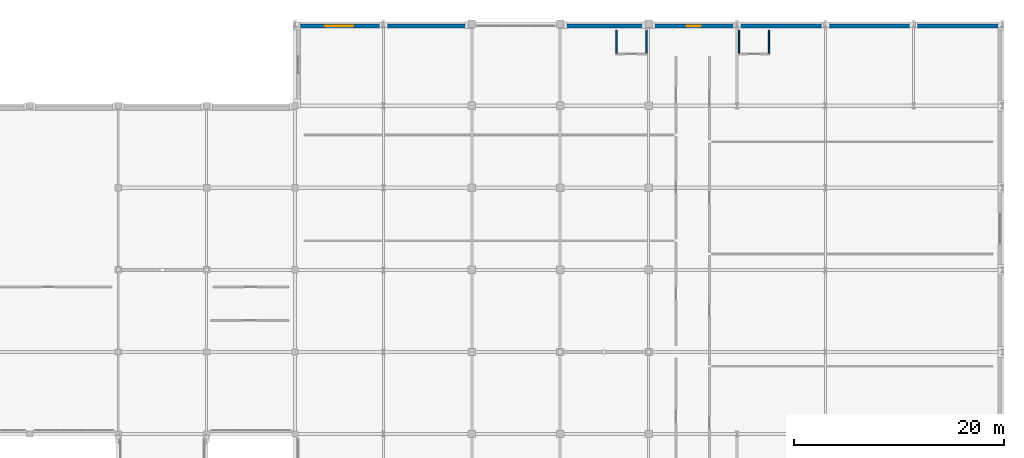
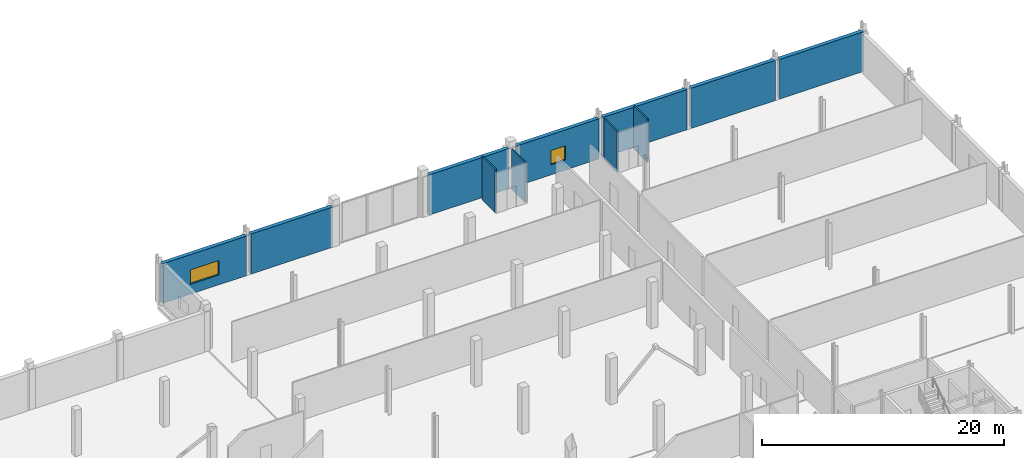
# One storey, part 78 of 98: 11 walls, 2 windows, 2 openings.
"""IFC4 building model written with IfcOpenShell, lengths in metres."""

from ifc_helpers import new_model, si_unit, direction, frame, frame_2d, origin, place, context, subcontext, project, spatial, rectangle, extrude, material, layer, layer_set, type_object, element, fill, save


model = new_model("IFC4")

# Units and contexts
model_context = context("Model", 3, precision=1e-05, world=origin(), true_north=direction((0.0, 1.0)))
body_context = subcontext(model_context, "Body", "Model", "MODEL_VIEW")
ifc_project = project(units=[si_unit("LENGTHUNIT", "METRE"), si_unit("AREAUNIT", "SQUARE_METRE"), si_unit("VOLUMEUNIT", "CUBIC_METRE"), si_unit("PLANEANGLEUNIT", "RADIAN"), si_unit("MASSUNIT", "GRAM", prefix="KILO")], contexts=[model_context])

# Site, building, storey
site_placement = place(None, origin())
site = spatial("IfcSite", under=ifc_project, at=site_placement, CompositionType="ELEMENT")
building_placement = place(site_placement, origin())
building = spatial("IfcBuilding", under=site, at=building_placement, Name="Nabrawat Pavilion Hospital", CompositionType="ELEMENT")
storey_placement = place(building_placement, frame((0.0, 0.0, 10.199951171875)))
storey = spatial("IfcBuildingStorey", under=building, at=storey_placement, Name="L02", CompositionType="ELEMENT", Elevation=10.199951171875)

# Walls
ifc_material_1 = material(Name="Cement Board on Steel Stud", Category="steel")
ifc_layer_1 = layer(ifc_material_1, 0.1298828125, Name="Cement Board on Steel Stud")
ifc_layer_set_1 = layer_set([ifc_layer_1], Name="Cement Board on Steel Stud")
wall_type_1 = type_object("IfcWallType", Name="En-Suite Moisture-Resistant Partition 130", PredefinedType="PARTITIONING", material=ifc_layer_set_1)
wall_1_placement = place(storey_placement, frame((156.56005859375, 121.97509765625, 0.0), z_axis=(0.0, 0.0, 1.0), x_axis=(0.0, 1.0, 0.0)))
element("IfcWall", 1, at=wall_1_placement, inside=storey, type_object=wall_type_1, Name="L02 En-Suite Bathroom WRD-SRG-07 West Partition", PredefinedType="PARTITIONING", context=body_context, shape_type="SweptSolid", body=[
    extrude(rectangle(XDim=2.219970703125, YDim=0.1298828125, at=frame_2d((1.10986328125, 0.0))), origin(), (0.0, 0.0, 1.0), 4.3701171875),
])
for number, where, z_axis, x_axis, name in (
    (2, (159.409912109375, 121.97509765625, 0.0), (0.0, 0.0, 1.0), (0.0, 1.0, 0.0), "L02 En-Suite Bathroom WRD-SRG-07 East Partition"),
    (3, (168.18994140625, 121.97509765625, 0.0), (0.0, 0.0, 1.0), (0.0, 1.0, 0.0), "L02 En-Suite Bathroom WRD-SRG-13 West Partition"),
):
    element("IfcWall", number, at=place(storey_placement, frame(where, z_axis=z_axis, x_axis=x_axis)), inside=storey, type_object=wall_type_1, Name=name, PredefinedType="PARTITIONING", context=body_context, shape_type="SweptSolid", body=[
        extrude(rectangle(XDim=2.219970703125, YDim=0.1298828125, at=frame_2d((1.10986328125, 0.0))), origin(), (0.0, 0.0, 1.0), 4.080078125),
    ])
wall_2_placement = place(storey_placement, frame((171.0400390625, 121.97509765625, 0.0), z_axis=(0.0, 0.0, 1.0), x_axis=(0.0, 1.0, 0.0)))
element("IfcWall", 4, at=wall_2_placement, inside=storey, type_object=wall_type_1, Name="L02 En-Suite Bathroom WRD-SRG-13 East Partition", PredefinedType="PARTITIONING", context=body_context, shape_type="SweptSolid", body=[
    extrude(rectangle(XDim=2.219970703125, YDim=0.1298828125, at=frame_2d((1.10986328125, 0.0))), origin(), (0.0, 0.0, 1.0), 4.3701171875),
])

# Wall, opening, window
ifc_material_2 = material(Name="Precast concrete C40/50", Category="concrete")
ifc_layer_2 = layer(ifc_material_2, 0.360107421875, Name="Precast concrete C40/50")
ifc_layer_set_2 = layer_set([ifc_layer_2], Name="Precast concrete C40/50")
wall_type_2 = type_object("IfcWallType", Name="Surgical Acoustic Precast Facade Wall 360", PredefinedType="SOLIDWALL", material=ifc_layer_set_2)
wall_3_placement = place(storey_placement, frame((126.199951171875, 124.580078125, 0.0), z_axis=(0.0, 0.0, 1.0), x_axis=(1.0, 0.0, 0.0)))
wall_3 = element("IfcWall", 5, at=wall_3_placement, inside=storey, type_object=wall_type_2, Name="L02 Surgical Acoustic Precast Facade Wall 360 279", PredefinedType="SOLIDWALL", context=body_context, shape_type="SweptSolid", body=[
    extrude(rectangle(XDim=8.0, YDim=0.360107421875, at=frame_2d((4.0, 0.0))), origin(), (0.0, 0.0, 1.0), 3.989990234375),
])
opening_1_placement = place(wall_3_placement, frame((2.64990234375, 0.0, 1.0)))
opening_1 = element("IfcOpeningElement", 6, at=opening_1_placement, cuts=wall_3, Name="Opening WN-09", PredefinedType="OPENING", context=body_context, shape_type="SweptSolid", body=[
    extrude(rectangle(XDim=2.699951171875, YDim=1.449951171875, at=frame_2d((1.35009765625, 0.72509765625))), frame((0.0, 0.18994140625, 0.0), z_axis=(0.0, -1.0, 0.0), x_axis=(1.0, 0.0, 0.0)), (0.0, 0.0, 1.0), 0.380126953125),
])
ifc_material_3 = material(Name="Thermally Broken Aluminium and Solar Glass", Category="aluminium")
window_type_1 = type_object("IfcWindowType", Name="Surgical PACU Ribbon Window 2700x1450", PartitioningType="SINGLE_PANEL", PredefinedType="WINDOW", material=ifc_material_3)
window_1_placement = place(opening_1_placement, origin())
window_1 = element("IfcWindow", 7, at=window_1_placement, inside=storey, type_object=window_type_1, Name="L02 Surgical PACU Ribbon Window 2700x1450 105", OverallHeight=1.449951171875, OverallWidth=2.699951171875, PartitioningType="SINGLE_PANEL", PredefinedType="WINDOW", context=body_context, shape_type="SweptSolid", body=[
    extrude(rectangle(XDim=2.699951171875, YDim=1.449951171875, at=frame_2d((1.35009765625, 0.72509765625))), frame((0.0, 0.030029296875, 0.0), z_axis=(0.0, -1.0, 0.0), x_axis=(1.0, 0.0, 0.0)), (0.0, 0.0, 1.0), 0.06005859375),
])
fill(opening_1, window_1)

# Walls
wall_4_placement = place(storey_placement, frame((134.60009765625, 124.580078125, 0.0), z_axis=(0.0, 0.0, 1.0), x_axis=(1.0, 0.0, 0.0)))
element("IfcWall", 8, at=wall_4_placement, inside=storey, type_object=wall_type_2, Name="L02 Surgical Acoustic Precast Facade Wall 360 280", PredefinedType="SOLIDWALL", context=body_context, shape_type="SweptSolid", body=[
    extrude(rectangle(XDim=7.7998046875, YDim=0.360107421875, at=frame_2d((3.89990234375, 0.0))), origin(), (0.0, 0.0, 1.0), 4.0400390625),
])
wall_5_placement = place(storey_placement, frame((151.60009765625, 124.580078125, 0.0), z_axis=(0.0, 0.0, 1.0), x_axis=(1.0, 0.0, 0.0)))
element("IfcWall", 9, at=wall_5_placement, inside=storey, type_object=wall_type_2, Name="L02 Surgical Acoustic Precast Facade Wall 360 281", PredefinedType="SOLIDWALL", context=body_context, shape_type="SweptSolid", body=[
    extrude(rectangle(XDim=7.599853515625, YDim=0.360107421875, at=frame_2d((3.7998046875, 0.0))), origin(), (0.0, 0.0, 1.0), 4.050048828125),
])

# Wall, opening, window
wall_6_placement = place(storey_placement, frame((160.0, 124.580078125, 0.0), z_axis=(0.0, 0.0, 1.0), x_axis=(1.0, 0.0, 0.0)))
wall_6 = element("IfcWall", 10, at=wall_6_placement, inside=storey, type_object=wall_type_2, Name="L02 Surgical Acoustic Precast Facade Wall 360 282", PredefinedType="SOLIDWALL", context=body_context, shape_type="SweptSolid", body=[
    extrude(rectangle(XDim=7.800048828125, YDim=0.360107421875, at=frame_2d((3.89990234375, 0.0))), origin(), (0.0, 0.0, 1.0), 4.050048828125),
])
opening_2_placement = place(wall_6_placement, frame((3.22509765625, 0.0, 1.0)))
opening_2 = element("IfcOpeningElement", 11, at=opening_2_placement, cuts=wall_6, Name="Opening WN-10", PredefinedType="OPENING", context=body_context, shape_type="SweptSolid", body=[
    extrude(rectangle(XDim=1.35009765625, YDim=1.449951171875, at=frame_2d((0.675048828125, 0.72509765625))), frame((0.0, 0.18994140625, 0.0), z_axis=(0.0, -1.0, 0.0), x_axis=(1.0, 0.0, 0.0)), (0.0, 0.0, 1.0), 0.380126953125),
])
window_type_2 = type_object("IfcWindowType", Name="Diagnostic Reporting Room Window 1350x1450", PartitioningType="SINGLE_PANEL", PredefinedType="WINDOW", material=ifc_material_3)
window_2_placement = place(opening_2_placement, origin())
window_2 = element("IfcWindow", 12, at=window_2_placement, inside=storey, type_object=window_type_2, Name="L02 Diagnostic Reporting Room Window 1350x1450 106", OverallHeight=1.449951171875, OverallWidth=1.35009765625, PartitioningType="SINGLE_PANEL", PredefinedType="WINDOW", context=body_context, shape_type="SweptSolid", body=[
    extrude(rectangle(XDim=1.35009765625, YDim=1.449951171875, at=frame_2d((0.675048828125, 0.72509765625))), frame((0.0, 0.030029296875, 0.0), z_axis=(0.0, -1.0, 0.0), x_axis=(1.0, 0.0, 0.0)), (0.0, 0.0, 1.0), 0.06005859375),
])
fill(opening_2, window_2)

# Walls
for number, where, z_axis, x_axis, name in (
    (13, (168.199951171875, 124.580078125, 0.0), (0.0, 0.0, 1.0), (1.0, 0.0, 0.0), "L02 Surgical Acoustic Precast Facade Wall 360 283"),
    (14, (176.60009765625, 124.580078125, 0.0), (0.0, 0.0, 1.0), (1.0, 0.0, 0.0), "L02 Surgical Acoustic Precast Facade Wall 360 284"),
):
    element("IfcWall", number, at=place(storey_placement, frame(where, z_axis=z_axis, x_axis=x_axis)), inside=storey, type_object=wall_type_2, Name=name, PredefinedType="SOLIDWALL", context=body_context, shape_type="SweptSolid", body=[
        extrude(rectangle(XDim=8.0, YDim=0.360107421875, at=frame_2d((4.0, 0.0))), origin(), (0.0, 0.0, 1.0), 4.050048828125),
    ])
wall_7_placement = place(storey_placement, frame((185.0, 124.580078125, 0.0), z_axis=(0.0, 0.0, 1.0), x_axis=(1.0, 0.0, 0.0)))
element("IfcWall", 15, at=wall_7_placement, inside=storey, type_object=wall_type_2, Name="L02 Surgical Acoustic Precast Facade Wall 360 285", PredefinedType="SOLIDWALL", context=body_context, shape_type="SweptSolid", body=[
    extrude(rectangle(XDim=8.0, YDim=0.360107421875, at=frame_2d((4.0, 0.0))), origin(), (0.0, 0.0, 1.0), 4.0),
])

save(model, "model.ifc")
